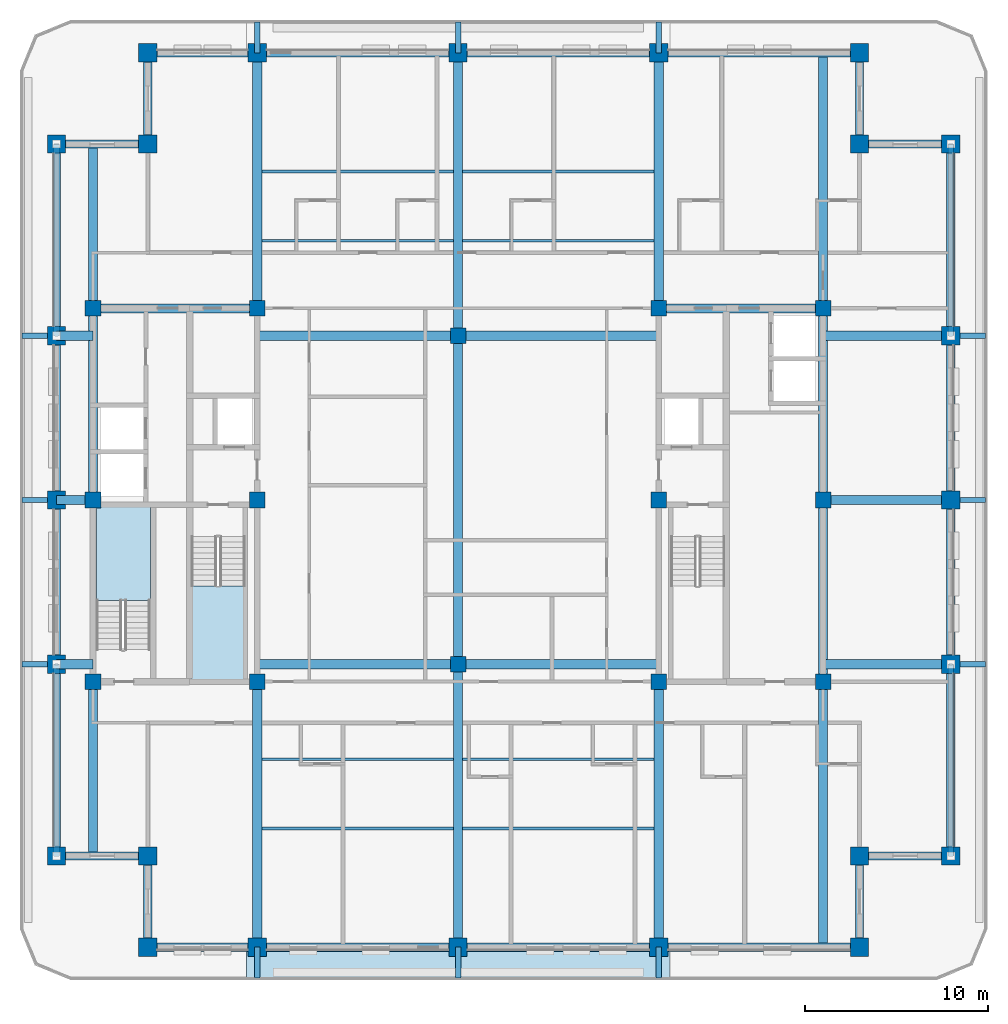
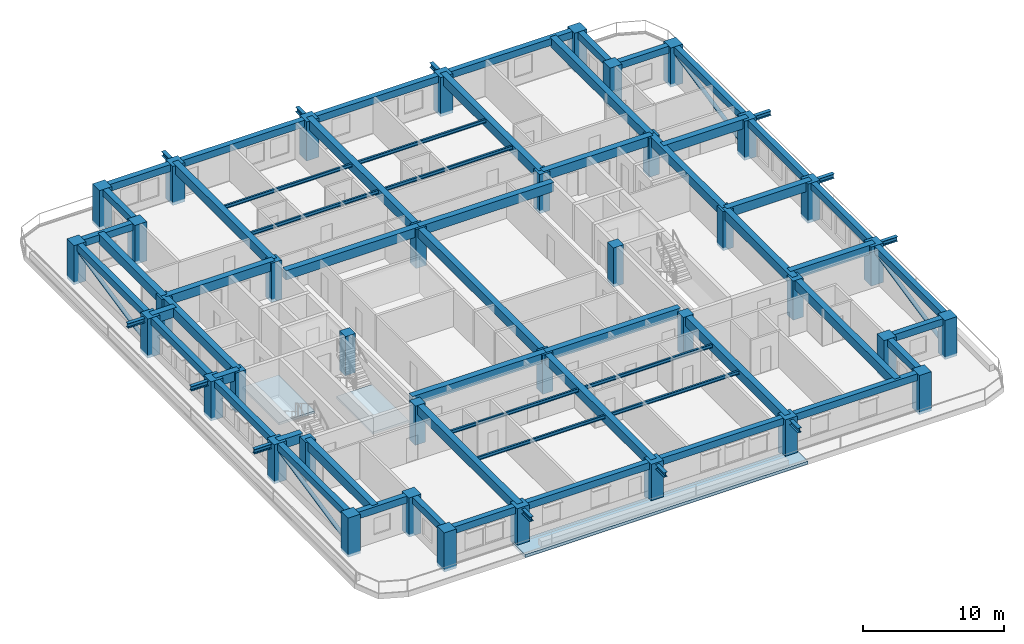
# One storey, part 1 of 14: 70 beams, 38 columns, 4 members, 3 slabs, 2 elements without a shape of their own.
"""IFC4 building model written with IfcOpenShell, lengths in metres."""

from ifc_helpers import new_model, si_unit, direction, frame, origin, origin_2d, place, context, subcontext, project, spatial, polyline, rectangle, hollow_circle, i_section, outline, extrude, material, layer, layer_set, material_profile, profile_set, type_object, element, aggregate, save


model = new_model("IFC4")

# Units and contexts
model_context = context("Model", 3, precision=1e-05, world=origin(), true_north=direction((0.0, 1.0)))
body_context = subcontext(model_context, "Body", "Model", "MODEL_VIEW")
ifc_project = project(units=[si_unit("LENGTHUNIT", "METRE"), si_unit("AREAUNIT", "SQUARE_METRE"), si_unit("VOLUMEUNIT", "CUBIC_METRE"), si_unit("PLANEANGLEUNIT", "RADIAN"), si_unit("MASSUNIT", "GRAM", prefix="KILO")], contexts=[model_context])

# Site, building, storey
site_placement = place(None, origin())
site = spatial("IfcSite", under=ifc_project, at=site_placement, CompositionType="ELEMENT")
building_placement = place(site_placement, origin())
building = spatial("IfcBuilding", under=site, at=building_placement, Name="Zulmaris Gate Convention Tower", CompositionType="ELEMENT")
storey_placement = place(building_placement, frame((0.0, 0.0, 179.659912109375)))
storey = spatial("IfcBuildingStorey", under=building, at=storey_placement, Name="L46", CompositionType="ELEMENT", Elevation=179.659912109375)

# Columns
ifc_material_1 = material(Name="Concrete C60/75", Category="concrete")
ifc_material_profile_1 = material_profile(ifc_material_1, rectangle(XDim=1.0, YDim=1.0, at=origin_2d()), Name="RC COL 1000x1000")
ifc_profile_set_1 = profile_set([ifc_material_profile_1], Name="Concrete C60/75")
column_type_1 = type_object("IfcColumnType", Name="COL-RC1000", PredefinedType="COLUMN", material=ifc_profile_set_1)
for number, where, z_axis, x_axis, name in (
    (1, (-17.0, -24.5, -0.25), (0.0, 0.0, 1.0), (1.0, 0.0, 0.0), "L46 Column PT--17.00_-24.50"),
    (2, (-11.0, -24.5, -0.25), (0.0, 0.0, 1.0), (1.0, 0.0, 0.0), "L46 Column PT--11.00_-24.50"),
    (3, (0.0, -24.5, -0.25), (0.0, 0.0, 1.0), (1.0, 0.0, 0.0), "L46 Column PT-+0.00_-24.50"),
    (4, (11.0, -24.5, -0.25), (0.0, 0.0, 1.0), (1.0, 0.0, 0.0), "L46 Column PT-+11.00_-24.50"),
    (5, (22.0, -24.5, -0.25), (0.0, 0.0, 1.0), (1.0, 0.0, 0.0), "L46 Column PT-+22.00_-24.50"),
    (6, (-17.0, 24.5, -0.25), (0.0, 0.0, 1.0), (1.0, 0.0, 0.0), "L46 Column PT--17.00_+24.50"),
    (7, (-11.0, 24.5, -0.25), (0.0, 0.0, 1.0), (1.0, 0.0, 0.0), "L46 Column PT--11.00_+24.50"),
    (8, (0.0, 24.5, -0.25), (0.0, 0.0, 1.0), (1.0, 0.0, 0.0), "L46 Column PT-+0.00_+24.50"),
    (9, (11.0, 24.5, -0.25), (0.0, 0.0, 1.0), (1.0, 0.0, 0.0), "L46 Column PT-+11.00_+24.50"),
    (10, (22.0, 24.5, -0.25), (0.0, 0.0, 1.0), (1.0, 0.0, 0.0), "L46 Column PT-+22.00_+24.50"),
    (11, (-22.0, -19.5, -0.25), (0.0, 0.0, 1.0), (1.0, 0.0, 0.0), "L46 Column PT--22.00_-19.50"),
    (12, (-22.0, -9.0, -0.25), (0.0, 0.0, 1.0), (1.0, 0.0, 0.0), "L46 Column PT--22.00_-9.00"),
    (13, (-22.0, 0.0, -0.25), (0.0, 0.0, 1.0), (1.0, 0.0, 0.0), "L46 Column PT--22.00_+0.00"),
    (14, (-22.0, 9.0, -0.25), (0.0, 0.0, 1.0), (1.0, 0.0, 0.0), "L46 Column PT--22.00_+9.00"),
    (15, (-22.0, 19.5, -0.25), (0.0, 0.0, 1.0), (1.0, 0.0, 0.0), "L46 Column PT--22.00_+19.50"),
    (16, (27.0, -19.5, -0.25), (0.0, 0.0, 1.0), (1.0, 0.0, 0.0), "L46 Column PT-+27.00_-19.50"),
    (17, (27.0, -9.0, -0.25), (0.0, 0.0, 1.0), (1.0, 0.0, 0.0), "L46 Column PT-+27.00_-9.00"),
    (18, (27.0, 0.0, -0.25), (0.0, 0.0, 1.0), (1.0, 0.0, 0.0), "L46 Column PT-+27.00_+0.00"),
    (19, (27.0, 9.0, -0.25), (0.0, 0.0, 1.0), (1.0, 0.0, 0.0), "L46 Column PT-+27.00_+9.00"),
    (20, (27.0, 19.5, -0.25), (0.0, 0.0, 1.0), (1.0, 0.0, 0.0), "L46 Column PT-+27.00_+19.50"),
    (21, (-17.0, -19.5, -0.25), (0.0, 0.0, 1.0), (1.0, 0.0, 0.0), "L46 Column PT--17.00_-19.50"),
    (22, (22.0, -19.5, -0.25), (0.0, 0.0, 1.0), (1.0, 0.0, 0.0), "L46 Column PT-+22.00_-19.50"),
    (23, (22.0, 19.5, -0.25), (0.0, 0.0, 1.0), (1.0, 0.0, 0.0), "L46 Column PT-+22.00_+19.50"),
    (24, (-17.0, 19.5, -0.25), (0.0, 0.0, 1.0), (1.0, 0.0, 0.0), "L46 Column PT--17.00_+19.50"),
):
    element("IfcColumn", number, at=place(storey_placement, frame(where, z_axis=z_axis, x_axis=x_axis)), inside=storey, type_object=column_type_1, Name=name, PredefinedType="COLUMN", context=body_context, shape_type="SweptSolid", body=[
        extrude(rectangle(XDim=1.0, YDim=1.0, at=origin_2d()), origin(), (0.0, 0.0, 1.0), 3.39990234375),
    ])
ifc_material_profile_2 = material_profile(ifc_material_1, rectangle(XDim=0.85009765625, YDim=0.85009765625, at=origin_2d()), Name="RC COL 850x850")
ifc_profile_set_2 = profile_set([ifc_material_profile_2], Name="Concrete C60/75")
column_type_2 = type_object("IfcColumnType", Name="COL-RC850", PredefinedType="COLUMN", material=ifc_profile_set_2)
for number, where, z_axis, x_axis, name in (
    (25, (-20.0, -9.949951171875, -0.25), (0.0, 0.0, 1.0), (1.0, 0.0, 0.0), "L46 Column IN--20.00_-9.95"),
    (26, (-20.0, 10.5, -0.25), (0.0, 0.0, 1.0), (1.0, 0.0, 0.0), "L46 Column IN--20.00_+10.50"),
    (27, (-11.0, -9.949951171875, -0.25), (0.0, 0.0, 1.0), (1.0, 0.0, 0.0), "L46 Column IN--11.00_-9.95"),
    (28, (-11.0, 0.0, -0.25), (0.0, 0.0, 1.0), (1.0, 0.0, 0.0), "L46 Column IN--11.00_+0.00"),
    (29, (-11.0, 10.5, -0.25), (0.0, 0.0, 1.0), (1.0, 0.0, 0.0), "L46 Column IN--11.00_+10.50"),
    (30, (11.0, -9.949951171875, -0.25), (0.0, 0.0, 1.0), (1.0, 0.0, 0.0), "L46 Column IN-+11.00_-9.95"),
    (31, (11.0, 0.0, -0.25), (0.0, 0.0, 1.0), (1.0, 0.0, 0.0), "L46 Column IN-+11.00_+0.00"),
    (32, (11.0, 10.5, -0.25), (0.0, 0.0, 1.0), (1.0, 0.0, 0.0), "L46 Column IN-+11.00_+10.50"),
    (33, (20.0, -9.949951171875, -0.25), (0.0, 0.0, 1.0), (1.0, 0.0, 0.0), "L46 Column IN-+20.00_-9.95"),
    (34, (20.0, 10.5, -0.25), (0.0, 0.0, 1.0), (1.0, 0.0, 0.0), "L46 Column IN-+20.00_+10.50"),
    (35, (0.0, -9.0, -0.25), (0.0, 0.0, 1.0), (1.0, 0.0, 0.0), "L46 Column IN-+0.00_-9.00"),
    (36, (0.0, 9.0, -0.25), (0.0, 0.0, 1.0), (1.0, 0.0, 0.0), "L46 Column IN-+0.00_+9.00"),
    (37, (-20.0, 0.0, -0.25), (0.0, 0.0, 1.0), (1.0, 0.0, 0.0), "L46 Column IN--20.00_+0.00"),
    (38, (20.0, 0.0, -0.25), (0.0, 0.0, 1.0), (1.0, 0.0, 0.0), "L46 Column IN-+20.00_+0.00"),
):
    element("IfcColumn", number, at=place(storey_placement, frame(where, z_axis=z_axis, x_axis=x_axis)), inside=storey, type_object=column_type_2, Name=name, PredefinedType="COLUMN", context=body_context, shape_type="SweptSolid", body=[
        extrude(rectangle(XDim=0.85009765625, YDim=0.85009765625, at=origin_2d()), origin(), (0.0, 0.0, 1.0), 3.39990234375),
    ])

# Beams
ifc_material_2 = material(Name="Steel S355", Category="steel")
ifc_material_profile_3 = material_profile(ifc_material_2, i_section(OverallWidth=0.300048828125, OverallDepth=0.39990234375, WebThickness=0.013427734375, FlangeThickness=0.02392578125, FilletRadius=0.027099609375, at=origin_2d()), Name="HEB 400")
ifc_profile_set_3 = profile_set([ifc_material_profile_3], Name="Steel S355")
beam_type_1 = type_object("IfcBeamType", Name="BM-HEB400", PredefinedType="BEAM", material=ifc_profile_set_3)
for number, where, z_axis, x_axis, name in (
    (39, (-11.0, -26.199951171875, 2.809814453125), (0.0, 1.0, 0.0), (-1.0, 0.0, 0.0), "L46 Beam TBRK-L46-S--11"),
    (40, (-11.0, 24.5, 2.809814453125), (0.0, 1.0, 0.0), (-1.0, 0.0, 0.0), "L46 Beam TBRK-L46-N--11"),
    (41, (0.0, -26.199951171875, 2.809814453125), (0.0, 1.0, 0.0), (-1.0, 0.0, 0.0), "L46 Beam TBRK-L46-S-+0"),
    (42, (0.0, 24.5, 2.809814453125), (0.0, 1.0, 0.0), (-1.0, 0.0, 0.0), "L46 Beam TBRK-L46-N-+0"),
    (43, (11.0, -26.199951171875, 2.809814453125), (0.0, 1.0, 0.0), (-1.0, 0.0, 0.0), "L46 Beam TBRK-L46-S-+11"),
    (44, (11.0, 24.5, 2.809814453125), (0.0, 1.0, 0.0), (-1.0, 0.0, 0.0), "L46 Beam TBRK-L46-N-+11"),
):
    element("IfcBeam", number, at=place(storey_placement, frame(where, z_axis=z_axis, x_axis=x_axis)), inside=storey, type_object=beam_type_1, Name=name, PredefinedType="BEAM", context=body_context, shape_type="SweptSolid", body=[
        extrude(i_section(OverallWidth=0.300048828125, OverallDepth=0.39990234375, WebThickness=0.013427734375, FlangeThickness=0.02392578125, FilletRadius=0.027099609375, at=origin_2d()), origin(), (0.0, 0.0, 1.0), 1.699951171875),
    ])
for number, where, z_axis, x_axis, name in (
    (45, (-23.89990234375, -9.0, 2.809814453125), (1.0, 0.0, 0.0), (0.0, 1.0, 0.0), "L46 Beam TBRK-L46-W--9"),
    (46, (27.0, -9.0, 2.809814453125), (1.0, 0.0, 0.0), (0.0, 1.0, 0.0), "L46 Beam TBRK-L46-E--9"),
    (47, (-23.89990234375, 0.0, 2.809814453125), (1.0, 0.0, 0.0), (0.0, 1.0, 0.0), "L46 Beam TBRK-L46-W-+0"),
    (48, (27.0, 0.0, 2.809814453125), (1.0, 0.0, 0.0), (0.0, 1.0, 0.0), "L46 Beam TBRK-L46-E-+0"),
    (49, (-23.89990234375, 9.0, 2.809814453125), (1.0, 0.0, 0.0), (0.0, 1.0, 0.0), "L46 Beam TBRK-L46-W-+9"),
    (50, (27.0, 9.0, 2.809814453125), (1.0, 0.0, 0.0), (0.0, 1.0, 0.0), "L46 Beam TBRK-L46-E-+9"),
):
    element("IfcBeam", number, at=place(storey_placement, frame(where, z_axis=z_axis, x_axis=x_axis)), inside=storey, type_object=beam_type_1, Name=name, PredefinedType="BEAM", context=body_context, shape_type="SweptSolid", body=[
        extrude(i_section(OverallWidth=0.300048828125, OverallDepth=0.39990234375, WebThickness=0.013427734375, FlangeThickness=0.02392578125, FilletRadius=0.027099609375, at=origin_2d()), origin(), (0.0, 0.0, 1.0), 1.89990234375),
    ])
ifc_material_3 = material(Name="Concrete C50/60", Category="concrete")
ifc_material_profile_4 = material_profile(ifc_material_3, rectangle(XDim=0.5, YDim=0.800048828125, at=origin_2d()), Name="RC BEAM 500x800")
ifc_profile_set_4 = profile_set([ifc_material_profile_4], Name="Concrete C50/60")
beam_type_2 = type_object("IfcBeamType", Name="BM-RC500x800", PredefinedType="BEAM", material=ifc_profile_set_4)
for number, where, z_axis, x_axis, name in (
    (51, (-11.0, -9.0, 2.75), (1.0, 0.0, 0.0), (0.0, 1.0, 0.0), "L46 Beam BM-L46-G01"),
    (52, (0.0, -9.0, 2.75), (1.0, 0.0, 0.0), (0.0, 1.0, 0.0), "L46 Beam BM-L46-G02"),
    (53, (-11.0, 9.0, 2.75), (1.0, 0.0, 0.0), (0.0, 1.0, 0.0), "L46 Beam BM-L46-G03"),
    (54, (0.0, 9.0, 2.75), (1.0, 0.0, 0.0), (0.0, 1.0, 0.0), "L46 Beam BM-L46-G04"),
):
    element("IfcBeam", number, at=place(storey_placement, frame(where, z_axis=z_axis, x_axis=x_axis)), inside=storey, type_object=beam_type_2, Name=name, PredefinedType="BEAM", context=body_context, shape_type="SweptSolid", body=[
        extrude(rectangle(XDim=0.5, YDim=0.800048828125, at=origin_2d()), origin(), (0.0, 0.0, 1.0), 11.0),
    ])
beam_1_placement = place(storey_placement, frame((0.0, -24.5, 2.75), z_axis=(0.0, 1.0, 0.0), x_axis=(-1.0, 0.0, 0.0)))
element("IfcBeam", 55, at=beam_1_placement, inside=storey, type_object=beam_type_2, Name="L46 Beam BM-L46-G05", PredefinedType="BEAM", context=body_context, shape_type="SweptSolid", body=[
    extrude(rectangle(XDim=0.5, YDim=0.800048828125, at=origin_2d()), origin(), (0.0, 0.0, 1.0), 15.5),
])
beam_2_placement = place(storey_placement, frame((0.0, -9.0, 2.75), z_axis=(0.0, 1.0, 0.0), x_axis=(-1.0, 0.0, 0.0)))
element("IfcBeam", 56, at=beam_2_placement, inside=storey, type_object=beam_type_2, Name="L46 Beam BM-L46-G06", PredefinedType="BEAM", context=body_context, shape_type="SweptSolid", body=[
    extrude(rectangle(XDim=0.5, YDim=0.800048828125, at=origin_2d()), origin(), (0.0, 0.0, 1.0), 18.0),
])
beam_3_placement = place(storey_placement, frame((0.0, 9.0, 2.75), z_axis=(0.0, 1.0, 0.0), x_axis=(-1.0, 0.0, 0.0)))
element("IfcBeam", 57, at=beam_3_placement, inside=storey, type_object=beam_type_2, Name="L46 Beam BM-L46-G07", PredefinedType="BEAM", context=body_context, shape_type="SweptSolid", body=[
    extrude(rectangle(XDim=0.5, YDim=0.800048828125, at=origin_2d()), origin(), (0.0, 0.0, 1.0), 15.5),
])
beam_4_placement = place(storey_placement, frame((-11.0, -24.5, 2.75), z_axis=(0.0, 1.0, 0.0), x_axis=(-1.0, 0.0, 0.0)))
element("IfcBeam", 58, at=beam_4_placement, inside=storey, type_object=beam_type_2, Name="L46 Beam BM-L46-G08", PredefinedType="BEAM", context=body_context, shape_type="SweptSolid", body=[
    extrude(rectangle(XDim=0.5, YDim=0.800048828125, at=origin_2d()), origin(), (0.0, 0.0, 1.0), 14.550048828125),
])
beam_5_placement = place(storey_placement, frame((-11.0, 10.5, 2.75), z_axis=(0.0, 1.0, 0.0), x_axis=(-1.0, 0.0, 0.0)))
element("IfcBeam", 59, at=beam_5_placement, inside=storey, type_object=beam_type_2, Name="L46 Beam BM-L46-G09", PredefinedType="BEAM", context=body_context, shape_type="SweptSolid", body=[
    extrude(rectangle(XDim=0.5, YDim=0.800048828125, at=origin_2d()), origin(), (0.0, 0.0, 1.0), 14.0),
])
beam_6_placement = place(storey_placement, frame((11.0, -24.5, 2.75), z_axis=(0.0, 1.0, 0.0), x_axis=(-1.0, 0.0, 0.0)))
element("IfcBeam", 60, at=beam_6_placement, inside=storey, type_object=beam_type_2, Name="L46 Beam BM-L46-G10", PredefinedType="BEAM", context=body_context, shape_type="SweptSolid", body=[
    extrude(rectangle(XDim=0.5, YDim=0.800048828125, at=origin_2d()), origin(), (0.0, 0.0, 1.0), 14.550048828125),
])
beam_7_placement = place(storey_placement, frame((11.0, 10.5, 2.75), z_axis=(0.0, 1.0, 0.0), x_axis=(-1.0, 0.0, 0.0)))
element("IfcBeam", 61, at=beam_7_placement, inside=storey, type_object=beam_type_2, Name="L46 Beam BM-L46-G11", PredefinedType="BEAM", context=body_context, shape_type="SweptSolid", body=[
    extrude(rectangle(XDim=0.5, YDim=0.800048828125, at=origin_2d()), origin(), (0.0, 0.0, 1.0), 14.0),
])
beam_8_placement = place(storey_placement, frame((-20.0, -19.5, 2.75), z_axis=(0.0, 1.0, 0.0), x_axis=(-1.0, 0.0, 0.0)))
element("IfcBeam", 62, at=beam_8_placement, inside=storey, type_object=beam_type_2, Name="L46 Beam BM-L46-G12", PredefinedType="BEAM", context=body_context, shape_type="SweptSolid", body=[
    extrude(rectangle(XDim=0.5, YDim=0.800048828125, at=origin_2d()), origin(), (0.0, 0.0, 1.0), 9.550048828125),
])
beam_9_placement = place(storey_placement, frame((-20.0, 10.5, 2.75), z_axis=(0.0, 1.0, 0.0), x_axis=(-1.0, 0.0, 0.0)))
element("IfcBeam", 63, at=beam_9_placement, inside=storey, type_object=beam_type_2, Name="L46 Beam BM-L46-G13", PredefinedType="BEAM", context=body_context, shape_type="SweptSolid", body=[
    extrude(rectangle(XDim=0.5, YDim=0.800048828125, at=origin_2d()), origin(), (0.0, 0.0, 1.0), 9.0),
])
beam_10_placement = place(storey_placement, frame((20.0, -24.5, 2.75), z_axis=(0.0, 1.0, 0.0), x_axis=(-1.0, 0.0, 0.0)))
element("IfcBeam", 64, at=beam_10_placement, inside=storey, type_object=beam_type_2, Name="L46 Beam BM-L46-G14", PredefinedType="BEAM", context=body_context, shape_type="SweptSolid", body=[
    extrude(rectangle(XDim=0.5, YDim=0.800048828125, at=origin_2d()), origin(), (0.0, 0.0, 1.0), 14.550048828125),
])
beam_11_placement = place(storey_placement, frame((20.0, 10.5, 2.75), z_axis=(0.0, 1.0, 0.0), x_axis=(-1.0, 0.0, 0.0)))
element("IfcBeam", 65, at=beam_11_placement, inside=storey, type_object=beam_type_2, Name="L46 Beam BM-L46-G15", PredefinedType="BEAM", context=body_context, shape_type="SweptSolid", body=[
    extrude(rectangle(XDim=0.5, YDim=0.800048828125, at=origin_2d()), origin(), (0.0, 0.0, 1.0), 14.0),
])
for number, where, z_axis, x_axis, name in (
    (66, (-22.0, -9.0, 2.75), (1.0, 0.0, 0.0), (0.0, 1.0, 0.0), "L46 Beam BM-L46-G16"),
    (67, (-22.0, 0.0, 2.75), (1.0, 0.0, 0.0), (0.0, 1.0, 0.0), "L46 Beam BM-L46-G17"),
    (68, (-22.0, 9.0, 2.75), (1.0, 0.0, 0.0), (0.0, 1.0, 0.0), "L46 Beam BM-L46-G18"),
):
    element("IfcBeam", number, at=place(storey_placement, frame(where, z_axis=z_axis, x_axis=x_axis)), inside=storey, type_object=beam_type_2, Name=name, PredefinedType="BEAM", context=body_context, shape_type="SweptSolid", body=[
        extrude(rectangle(XDim=0.5, YDim=0.800048828125, at=origin_2d()), origin(), (0.0, 0.0, 1.0), 2.0),
    ])
for number, where, z_axis, x_axis, name in (
    (69, (20.0, -9.0, 2.75), (1.0, 0.0, 0.0), (0.0, 1.0, 0.0), "L46 Beam BM-L46-G19"),
    (70, (20.0, 0.0, 2.75), (1.0, 0.0, 0.0), (0.0, 1.0, 0.0), "L46 Beam BM-L46-G20"),
    (71, (20.0, 9.0, 2.75), (1.0, 0.0, 0.0), (0.0, 1.0, 0.0), "L46 Beam BM-L46-G21"),
):
    element("IfcBeam", number, at=place(storey_placement, frame(where, z_axis=z_axis, x_axis=x_axis)), inside=storey, type_object=beam_type_2, Name=name, PredefinedType="BEAM", context=body_context, shape_type="SweptSolid", body=[
        extrude(rectangle(XDim=0.5, YDim=0.800048828125, at=origin_2d()), origin(), (0.0, 0.0, 1.0), 7.0),
    ])
for number, where, z_axis, x_axis, name in (
    (72, (-20.0, 10.5, 2.75), (1.0, 0.0, 0.0), (0.0, 1.0, 0.0), "L46 Beam BM-L46-G23"),
    (73, (11.0, 10.5, 2.75), (1.0, 0.0, 0.0), (0.0, 1.0, 0.0), "L46 Beam BM-L46-G25"),
):
    element("IfcBeam", number, at=place(storey_placement, frame(where, z_axis=z_axis, x_axis=x_axis)), inside=storey, type_object=beam_type_2, Name=name, PredefinedType="BEAM", context=body_context, shape_type="SweptSolid", body=[
        extrude(rectangle(XDim=0.5, YDim=0.800048828125, at=origin_2d()), origin(), (0.0, 0.0, 1.0), 9.0),
    ])
beam_12_placement = place(storey_placement, frame((-20.0, 0.0, 2.75), z_axis=(0.0, 1.0, 0.0), x_axis=(-1.0, 0.0, 0.0)))
element("IfcBeam", 74, at=beam_12_placement, inside=storey, type_object=beam_type_2, Name="L46 Beam BM-L46-G27", PredefinedType="BEAM", context=body_context, shape_type="SweptSolid", body=[
    extrude(rectangle(XDim=0.5, YDim=0.800048828125, at=origin_2d()), origin(), (0.0, 0.0, 1.0), 10.5),
])
beam_13_placement = place(storey_placement, frame((20.0, -9.949951171875, 2.75), z_axis=(0.0, 1.0, 0.0), x_axis=(-1.0, 0.0, 0.0)))
element("IfcBeam", 75, at=beam_13_placement, inside=storey, type_object=beam_type_2, Name="L46 Beam BM-L46-G28", PredefinedType="BEAM", context=body_context, shape_type="SweptSolid", body=[
    extrude(rectangle(XDim=0.5, YDim=0.800048828125, at=origin_2d()), origin(), (0.0, 0.0, 1.0), 9.949951171875),
])
beam_14_placement = place(storey_placement, frame((20.0, 0.0, 2.75), z_axis=(0.0, 1.0, 0.0), x_axis=(-1.0, 0.0, 0.0)))
element("IfcBeam", 76, at=beam_14_placement, inside=storey, type_object=beam_type_2, Name="L46 Beam BM-L46-G29", PredefinedType="BEAM", context=body_context, shape_type="SweptSolid", body=[
    extrude(rectangle(XDim=0.5, YDim=0.800048828125, at=origin_2d()), origin(), (0.0, 0.0, 1.0), 10.5),
])
ifc_material_4 = material(Name="Precast concrete C50/60", Category="concrete")
ifc_material_profile_5 = material_profile(ifc_material_4, rectangle(XDim=0.449951171875, YDim=0.60009765625, at=origin_2d()), Name="RC SPANDREL 450x600")
ifc_profile_set_5 = profile_set([ifc_material_profile_5], Name="Precast concrete C50/60")
beam_type_3 = type_object("IfcBeamType", Name="BM-SP450x600", PredefinedType="SPANDREL", material=ifc_profile_set_5)
beam_15_placement = place(storey_placement, frame((-17.0, -24.5, 2.849853515625), z_axis=(1.0, 0.0, 0.0), x_axis=(0.0, 1.0, 0.0)))
element("IfcBeam", 77, at=beam_15_placement, inside=storey, type_object=beam_type_3, Name="L46 Spandrel SP-L46-01", PredefinedType="SPANDREL", context=body_context, shape_type="SweptSolid", body=[
    extrude(rectangle(XDim=0.449951171875, YDim=0.60009765625, at=origin_2d()), origin(), (0.0, 0.0, 1.0), 6.0),
])
for number, where, z_axis, x_axis, name in (
    (78, (-11.0, -24.5, 2.849853515625), (1.0, 0.0, 0.0), (0.0, 1.0, 0.0), "L46 Spandrel SP-L46-02"),
    (79, (0.0, -24.5, 2.849853515625), (1.0, 0.0, 0.0), (0.0, 1.0, 0.0), "L46 Spandrel SP-L46-03"),
    (80, (11.0, -24.5, 2.849853515625), (1.0, 0.0, 0.0), (0.0, 1.0, 0.0), "L46 Spandrel SP-L46-04"),
):
    element("IfcBeam", number, at=place(storey_placement, frame(where, z_axis=z_axis, x_axis=x_axis)), inside=storey, type_object=beam_type_3, Name=name, PredefinedType="SPANDREL", context=body_context, shape_type="SweptSolid", body=[
        extrude(rectangle(XDim=0.449951171875, YDim=0.60009765625, at=origin_2d()), origin(), (0.0, 0.0, 1.0), 11.0),
    ])
for number, where, z_axis, x_axis, name in (
    (81, (22.0, -24.5, 2.849853515625), (0.0, 1.0, 0.0), (-1.0, 0.0, 0.0), "L46 Spandrel SP-L46-05"),
    (82, (22.0, -19.5, 2.849853515625), (1.0, 0.0, 0.0), (0.0, 1.0, 0.0), "L46 Spandrel SP-L46-06"),
):
    element("IfcBeam", number, at=place(storey_placement, frame(where, z_axis=z_axis, x_axis=x_axis)), inside=storey, type_object=beam_type_3, Name=name, PredefinedType="SPANDREL", context=body_context, shape_type="SweptSolid", body=[
        extrude(rectangle(XDim=0.449951171875, YDim=0.60009765625, at=origin_2d()), origin(), (0.0, 0.0, 1.0), 5.0),
    ])
beam_16_placement = place(storey_placement, frame((27.0, -19.5, 2.849853515625), z_axis=(0.0, 1.0, 0.0), x_axis=(-1.0, 0.0, 0.0)))
element("IfcBeam", 83, at=beam_16_placement, inside=storey, type_object=beam_type_3, Name="L46 Spandrel SP-L46-07", PredefinedType="SPANDREL", context=body_context, shape_type="SweptSolid", body=[
    extrude(rectangle(XDim=0.449951171875, YDim=0.60009765625, at=origin_2d()), origin(), (0.0, 0.0, 1.0), 10.5),
])
for number, where, z_axis, x_axis, name in (
    (84, (27.0, -9.0, 2.849853515625), (0.0, 1.0, 0.0), (-1.0, 0.0, 0.0), "L46 Spandrel SP-L46-08"),
    (85, (27.0, 0.0, 2.849853515625), (0.0, 1.0, 0.0), (-1.0, 0.0, 0.0), "L46 Spandrel SP-L46-09"),
):
    element("IfcBeam", number, at=place(storey_placement, frame(where, z_axis=z_axis, x_axis=x_axis)), inside=storey, type_object=beam_type_3, Name=name, PredefinedType="SPANDREL", context=body_context, shape_type="SweptSolid", body=[
        extrude(rectangle(XDim=0.449951171875, YDim=0.60009765625, at=origin_2d()), origin(), (0.0, 0.0, 1.0), 9.0),
    ])
beam_17_placement = place(storey_placement, frame((27.0, 9.0, 2.849853515625), z_axis=(0.0, 1.0, 0.0), x_axis=(-1.0, 0.0, 0.0)))
element("IfcBeam", 86, at=beam_17_placement, inside=storey, type_object=beam_type_3, Name="L46 Spandrel SP-L46-10", PredefinedType="SPANDREL", context=body_context, shape_type="SweptSolid", body=[
    extrude(rectangle(XDim=0.449951171875, YDim=0.60009765625, at=origin_2d()), origin(), (0.0, 0.0, 1.0), 10.5),
])
for number, where, z_axis, x_axis, name in (
    (87, (27.0, 19.5, 2.849853515625), (-1.0, 0.0, 0.0), (0.0, -1.0, 0.0), "L46 Spandrel SP-L46-11"),
    (88, (22.0, 19.5, 2.849853515625), (0.0, 1.0, 0.0), (-1.0, 0.0, 0.0), "L46 Spandrel SP-L46-12"),
):
    element("IfcBeam", number, at=place(storey_placement, frame(where, z_axis=z_axis, x_axis=x_axis)), inside=storey, type_object=beam_type_3, Name=name, PredefinedType="SPANDREL", context=body_context, shape_type="SweptSolid", body=[
        extrude(rectangle(XDim=0.449951171875, YDim=0.60009765625, at=origin_2d()), origin(), (0.0, 0.0, 1.0), 5.0),
    ])
for number, where, z_axis, x_axis, name in (
    (89, (22.0, 24.5, 2.849853515625), (-1.0, 0.0, 0.0), (0.0, -1.0, 0.0), "L46 Spandrel SP-L46-13"),
    (90, (11.0, 24.5, 2.849853515625), (-1.0, 0.0, 0.0), (0.0, -1.0, 0.0), "L46 Spandrel SP-L46-14"),
    (91, (0.0, 24.5, 2.849853515625), (-1.0, 0.0, 0.0), (0.0, -1.0, 0.0), "L46 Spandrel SP-L46-15"),
):
    element("IfcBeam", number, at=place(storey_placement, frame(where, z_axis=z_axis, x_axis=x_axis)), inside=storey, type_object=beam_type_3, Name=name, PredefinedType="SPANDREL", context=body_context, shape_type="SweptSolid", body=[
        extrude(rectangle(XDim=0.449951171875, YDim=0.60009765625, at=origin_2d()), origin(), (0.0, 0.0, 1.0), 11.0),
    ])
beam_18_placement = place(storey_placement, frame((-11.0, 24.5, 2.849853515625), z_axis=(-1.0, 0.0, 0.0), x_axis=(0.0, -1.0, 0.0)))
element("IfcBeam", 92, at=beam_18_placement, inside=storey, type_object=beam_type_3, Name="L46 Spandrel SP-L46-16", PredefinedType="SPANDREL", context=body_context, shape_type="SweptSolid", body=[
    extrude(rectangle(XDim=0.449951171875, YDim=0.60009765625, at=origin_2d()), origin(), (0.0, 0.0, 1.0), 6.0),
])
for number, where, z_axis, x_axis, name in (
    (93, (-17.0, 24.5, 2.849853515625), (0.0, -1.0, 0.0), (1.0, 0.0, 0.0), "L46 Spandrel SP-L46-17"),
    (94, (-17.0, 19.5, 2.849853515625), (-1.0, 0.0, 0.0), (0.0, -1.0, 0.0), "L46 Spandrel SP-L46-18"),
):
    element("IfcBeam", number, at=place(storey_placement, frame(where, z_axis=z_axis, x_axis=x_axis)), inside=storey, type_object=beam_type_3, Name=name, PredefinedType="SPANDREL", context=body_context, shape_type="SweptSolid", body=[
        extrude(rectangle(XDim=0.449951171875, YDim=0.60009765625, at=origin_2d()), origin(), (0.0, 0.0, 1.0), 5.0),
    ])
beam_19_placement = place(storey_placement, frame((-22.0, 19.5, 2.849853515625), z_axis=(0.0, -1.0, 0.0), x_axis=(1.0, 0.0, 0.0)))
element("IfcBeam", 95, at=beam_19_placement, inside=storey, type_object=beam_type_3, Name="L46 Spandrel SP-L46-19", PredefinedType="SPANDREL", context=body_context, shape_type="SweptSolid", body=[
    extrude(rectangle(XDim=0.449951171875, YDim=0.60009765625, at=origin_2d()), origin(), (0.0, 0.0, 1.0), 10.5),
])
for number, where, z_axis, x_axis, name in (
    (96, (-22.0, 9.0, 2.849853515625), (0.0, -1.0, 0.0), (1.0, 0.0, 0.0), "L46 Spandrel SP-L46-20"),
    (97, (-22.0, 0.0, 2.849853515625), (0.0, -1.0, 0.0), (1.0, 0.0, 0.0), "L46 Spandrel SP-L46-21"),
):
    element("IfcBeam", number, at=place(storey_placement, frame(where, z_axis=z_axis, x_axis=x_axis)), inside=storey, type_object=beam_type_3, Name=name, PredefinedType="SPANDREL", context=body_context, shape_type="SweptSolid", body=[
        extrude(rectangle(XDim=0.449951171875, YDim=0.60009765625, at=origin_2d()), origin(), (0.0, 0.0, 1.0), 9.0),
    ])
beam_20_placement = place(storey_placement, frame((-22.0, -9.0, 2.849853515625), z_axis=(0.0, -1.0, 0.0), x_axis=(1.0, 0.0, 0.0)))
element("IfcBeam", 98, at=beam_20_placement, inside=storey, type_object=beam_type_3, Name="L46 Spandrel SP-L46-22", PredefinedType="SPANDREL", context=body_context, shape_type="SweptSolid", body=[
    extrude(rectangle(XDim=0.449951171875, YDim=0.60009765625, at=origin_2d()), origin(), (0.0, 0.0, 1.0), 10.5),
])
for number, where, z_axis, x_axis, name in (
    (99, (-22.0, -19.5, 2.849853515625), (1.0, 0.0, 0.0), (0.0, 1.0, 0.0), "L46 Spandrel SP-L46-23"),
    (100, (-17.0, -19.5, 2.849853515625), (0.0, -1.0, 0.0), (1.0, 0.0, 0.0), "L46 Spandrel SP-L46-24"),
):
    element("IfcBeam", number, at=place(storey_placement, frame(where, z_axis=z_axis, x_axis=x_axis)), inside=storey, type_object=beam_type_3, Name=name, PredefinedType="SPANDREL", context=body_context, shape_type="SweptSolid", body=[
        extrude(rectangle(XDim=0.449951171875, YDim=0.60009765625, at=origin_2d()), origin(), (0.0, 0.0, 1.0), 5.0),
    ])

# Members
ifc_material_profile_6 = material_profile(ifc_material_2, hollow_circle(Radius=0.161865234375, WallThickness=0.01611328125, at=origin_2d()), Name="CHS 323.9x16")
ifc_profile_set_6 = profile_set([ifc_material_profile_6], Name="Steel S355")
member_type = type_object("IfcMemberType", Name="BR-CHS324", PredefinedType="BRACE", material=ifc_profile_set_6)
for number, where, z_axis, x_axis, name in (
    (101, (-22.0, -19.5, 0.300048828125), (0.0, 0.978187512575, 0.207723831667), (-1.0, 0.0, 0.0), "L46 Perimeter Tube Diagonal SW-W"),
    (102, (-22.0, 9.0, 0.300048828125), (0.0, 0.978187512575, 0.207723831667), (-1.0, 0.0, 0.0), "L46 Perimeter Tube Diagonal NW-W"),
    (103, (27.0, -19.5, 0.300048828125), (0.0, 0.978187512575, 0.207723831667), (-1.0, 0.0, 0.0), "L46 Perimeter Tube Diagonal SE-E"),
    (104, (27.0, 9.0, 0.300048828125), (0.0, 0.978187512575, 0.207723831667), (-1.0, 0.0, 0.0), "L46 Perimeter Tube Diagonal NE-E"),
):
    element("IfcMember", number, at=place(storey_placement, frame(where, z_axis=z_axis, x_axis=x_axis)), inside=storey, type_object=member_type, Name=name, PredefinedType="BRACE", context=body_context, shape_type="SweptSolid", body=[
        extrude(hollow_circle(Radius=0.161865234375, WallThickness=0.01611328125, at=origin_2d()), origin(), (0.0, 0.0, 1.0), 10.734130859375),
    ])

# Beams
ifc_material_profile_7 = material_profile(ifc_material_2, i_section(OverallWidth=0.14990234375, OverallDepth=0.300048828125, WebThickness=0.007080078125, FlangeThickness=0.0107421875, FilletRadius=0.014892578125, at=origin_2d()), Name="IPE 300")
ifc_profile_set_7 = profile_set([ifc_material_profile_7], Name="Steel S355")
beam_type_4 = type_object("IfcBeamType", Name="JT-IPE300", PredefinedType="JOIST", material=ifc_profile_set_7)
for number, where, z_axis, x_axis, name in (
    (105, (-10.75, -18.0, 2.997802734375), (1.0, 0.0, 0.0), (0.0, 1.0, 0.0), "L46 Joist JT-L46-CW--18.0"),
    (106, (0.25, -18.0, 2.997802734375), (1.0, 0.0, 0.0), (0.0, 1.0, 0.0), "L46 Joist JT-L46-CE--18.0"),
    (107, (-10.75, -14.199951171875, 2.997802734375), (1.0, 0.0, 0.0), (0.0, 1.0, 0.0), "L46 Joist JT-L46-CW--14.2"),
    (108, (0.25, -14.199951171875, 2.997802734375), (1.0, 0.0, 0.0), (0.0, 1.0, 0.0), "L46 Joist JT-L46-CE--14.2"),
    (109, (-10.75, 14.199951171875, 2.997802734375), (1.0, 0.0, 0.0), (0.0, 1.0, 0.0), "L46 Joist JT-L46-CW-+14.2"),
    (110, (0.25, 14.199951171875, 2.997802734375), (1.0, 0.0, 0.0), (0.0, 1.0, 0.0), "L46 Joist JT-L46-CE-+14.2"),
    (111, (-10.75, 18.0, 2.997802734375), (1.0, 0.0, 0.0), (0.0, 1.0, 0.0), "L46 Joist JT-L46-CW-+18.0"),
    (112, (0.25, 18.0, 2.997802734375), (1.0, 0.0, 0.0), (0.0, 1.0, 0.0), "L46 Joist JT-L46-CE-+18.0"),
):
    element("IfcBeam", number, at=place(storey_placement, frame(where, z_axis=z_axis, x_axis=x_axis)), inside=storey, type_object=beam_type_4, Name=name, PredefinedType="JOIST", context=body_context, shape_type="SweptSolid", body=[
        extrude(i_section(OverallWidth=0.14990234375, OverallDepth=0.300048828125, WebThickness=0.007080078125, FlangeThickness=0.0107421875, FilletRadius=0.014892578125, at=origin_2d()), origin(), (0.0, 0.0, 1.0), 10.5),
    ])

# Slab
ifc_layer_1 = layer(ifc_material_4, 0.260009765625, Name="Precast concrete C50/60")
ifc_layer_set_1 = layer_set([ifc_layer_1], Name="Precast concrete C50/60")
slab_type_1 = type_object("IfcSlabType", Name="SL-BAL-260", PredefinedType="FLOOR", material=ifc_layer_set_1)
slab_1_placement = place(storey_placement, frame((0.0, 0.0, -0.27490234375)))
element("IfcSlab", 113, at=slab_1_placement, inside=storey, type_object=slab_type_1, Name="L46 South Tree-Balcony Planter Slab", PredefinedType="FLOOR", context=body_context, shape_type="SweptSolid", body=[
    extrude(outline(polyline([(-11.597900390625, -26.300048828125), (-11.597900390625, -24.5), (11.597900390625, -24.5), (11.597900390625, -26.300048828125), (-11.597900390625, -26.300048828125)])), origin(), (0.0, 0.0, 1.0), 0.260009765625),
])

# Stair, slab
ifc_material_5 = material(Name="Concrete C45/55", Category="concrete")
stair_type = type_object("IfcStairType", Name="ST-CORE-DOGLEG", PredefinedType="HALF_TURN_STAIR", material=ifc_material_5)
stair_1_placement = place(storey_placement, origin())
stair_1 = element("IfcStair", 114, at=stair_1_placement, inside=storey, type_object=stair_type, Name="L46 Core Exit Stair ST-1", PredefinedType="HALF_TURN_STAIR")
ifc_layer_2 = layer(ifc_material_5, 0.199951171875, Name="Concrete C45/55")
ifc_layer_set_2 = layer_set([ifc_layer_2], Name="Concrete C45/55")
slab_type_2 = type_object("IfcSlabType", Name="SL-LND-200", PredefinedType="LANDING", material=ifc_layer_set_2)
slab_2_placement = place(storey_placement, frame((0.0, 0.0, 1.5)))
slab_2 = element("IfcSlab", 115, at=slab_2_placement, type_object=slab_type_2, Name="ST-1 landing 1", PredefinedType="LANDING", context=body_context, shape_type="SweptSolid", body=[
    extrude(outline(polyline([(-14.6201171875, -4.699951171875), (-14.6201171875, -9.85009765625), (-11.659912109375, -9.85009765625), (-11.659912109375, -4.699951171875), (-14.6201171875, -4.699951171875)])), origin(), (0.0, 0.0, 1.0), 0.199951171875),
])
aggregate(stair_1, [slab_2])

stair_2_placement = place(storey_placement, origin())
stair_2 = element("IfcStair", 116, at=stair_2_placement, inside=storey, type_object=stair_type, Name="L46 Core Exit Stair ST-3", PredefinedType="HALF_TURN_STAIR")
slab_3_placement = place(storey_placement, frame((0.0, 0.0, 1.5)))
slab_3 = element("IfcSlab", 117, at=slab_3_placement, type_object=slab_type_2, Name="ST-3 landing 1", PredefinedType="LANDING", context=body_context, shape_type="SweptSolid", body=[
    extrude(outline(polyline([(-16.860107421875, -5.5), (-16.860107421875, -0.35009765625), (-19.820068359375, -0.35009765625), (-19.820068359375, -5.5), (-16.860107421875, -5.5)])), origin(), (0.0, 0.0, 1.0), 0.199951171875),
])
aggregate(stair_2, [slab_3])

save(model, "model.ifc")
